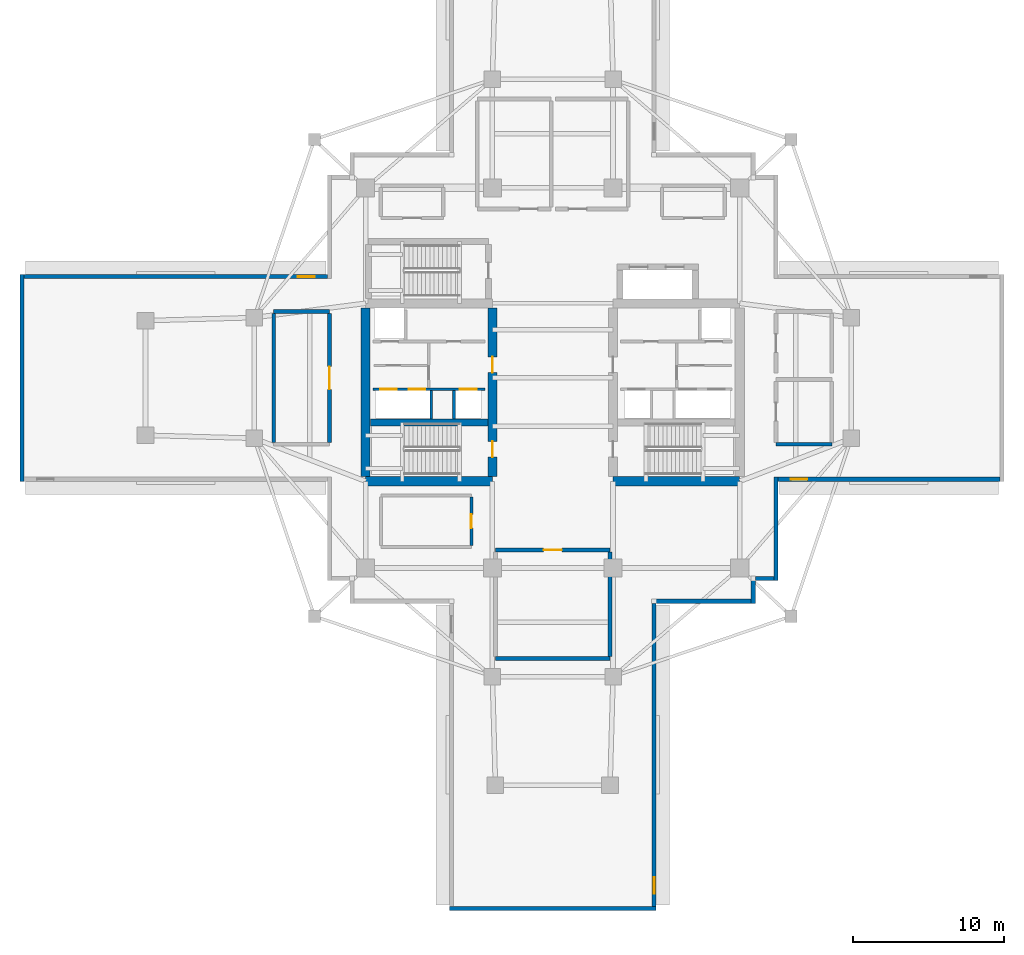
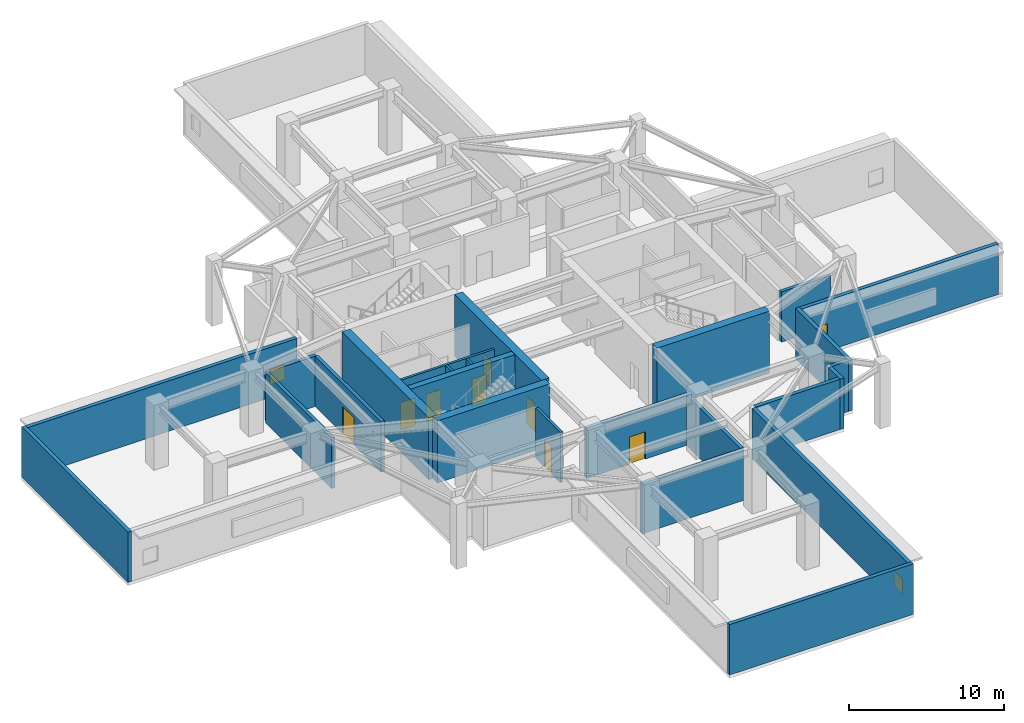
# One storey, part 3 of 11: 25 walls, 8 doors, 3 windows, 11 openings.
"""IFC4 building model written with IfcOpenShell, lengths in metres."""

from ifc_helpers import new_model, si_unit, direction, frame, frame_2d, origin, place, context, subcontext, project, spatial, rectangle, extrude, material, layer, layer_set, type_object, element, fill, save


model = new_model("IFC4")

# Units and contexts
model_context = context("Model", 3, precision=1e-05, world=origin(), true_north=direction((0.0, 1.0)))
body_context = subcontext(model_context, "Body", "Model", "MODEL_VIEW")
ifc_project = project(units=[si_unit("LENGTHUNIT", "METRE"), si_unit("AREAUNIT", "SQUARE_METRE"), si_unit("VOLUMEUNIT", "CUBIC_METRE"), si_unit("PLANEANGLEUNIT", "RADIAN"), si_unit("MASSUNIT", "GRAM", prefix="KILO")], contexts=[model_context])

# Site, building, storey
site_placement = place(None, origin())
site = spatial("IfcSite", under=ifc_project, at=site_placement, CompositionType="ELEMENT")
building_placement = place(site_placement, origin())
building = spatial("IfcBuilding", under=site, at=building_placement, Name="Qingluan Cross Belvedere", CompositionType="ELEMENT")
storey_placement = place(building_placement, frame((0.0, 0.0, 143.699951171875)))
storey = spatial("IfcBuildingStorey", under=building, at=storey_placement, Name="L36", CompositionType="ELEMENT", Elevation=143.699951171875)

# Walls
ifc_material_1 = material(Name="Concrete C50", Category="concrete")
ifc_layer_1 = layer(ifc_material_1, 0.449951171875, Name="CoreShearWall_450")
ifc_layer_set_1 = layer_set([ifc_layer_1], Name="Concrete C50")
wall_type_1 = type_object("IfcWallType", Name="CoreShearWall_450", PredefinedType="SHEAR", material=ifc_layer_set_1)
wall_1_placement = place(storey_placement, frame((-12.094970703125, -2.9599609375, 0.0), z_axis=(0.0, 0.0, 1.0), x_axis=(1.0, 0.0, 0.0)))
element("IfcWall", 1, at=wall_1_placement, inside=storey, type_object=wall_type_1, Name="Split core W shear wall L36-M", PredefinedType="SHEAR", context=body_context, shape_type="SweptSolid", body=[
    extrude(rectangle(XDim=7.7900390625, YDim=0.449951171875, at=frame_2d((3.89501953125, 0.0))), origin(), (0.0, 0.0, 1.0), 4.900146484375),
])
ifc_material_2 = material(Name="Concrete C60", Category="concrete")
ifc_layer_2 = layer(ifc_material_2, 0.60009765625, Name="CoreShearWall_600")
ifc_layer_set_2 = layer_set([ifc_layer_2], Name="Concrete C60")
wall_type_2 = type_object("IfcWallType", Name="CoreShearWall_600", PredefinedType="SHEAR", material=ifc_layer_set_2)
wall_2_placement = place(storey_placement, frame((-12.39990234375, -6.85009765625, 0.0), z_axis=(0.0, 0.0, 1.0), x_axis=(1.0, 0.0, 0.0)))
element("IfcWall", 2, at=wall_2_placement, inside=storey, type_object=wall_type_2, Name="Split core W shear wall L36-S", PredefinedType="SHEAR", context=body_context, shape_type="SweptSolid", body=[
    extrude(rectangle(XDim=8.39990234375, YDim=0.60009765625, at=frame_2d((4.199951171875, 0.0))), origin(), (0.0, 0.0, 1.0), 4.900146484375),
])
wall_3_placement = place(storey_placement, frame((-12.39990234375, -6.544921875, 0.0), z_axis=(0.0, 0.0, 1.0), x_axis=(0.0, 1.0, 0.0)))
element("IfcWall", 3, at=wall_3_placement, inside=storey, type_object=wall_type_2, Name="Split core W shear wall L36-W", PredefinedType="SHEAR", context=body_context, shape_type="SweptSolid", body=[
    extrude(rectangle(XDim=11.18994140625, YDim=0.60009765625, at=frame_2d((5.594970703125, 0.0))), origin(), (0.0, 0.0, 1.0), 4.900146484375),
])

# Wall, openings, doors
wall_4_placement = place(storey_placement, frame((-4.0, -6.544921875, 0.0), z_axis=(0.0, 0.0, 1.0), x_axis=(0.0, 1.0, 0.0)))
wall_4 = element("IfcWall", 4, at=wall_4_placement, inside=storey, type_object=wall_type_2, Name="Split core W shear wall L36-E", PredefinedType="SHEAR", context=body_context, shape_type="SweptSolid", body=[
    extrude(rectangle(XDim=11.18994140625, YDim=0.60009765625, at=frame_2d((5.594970703125, 0.0))), origin(), (0.0, 0.0, 1.0), 4.900146484375),
])
opening_1_placement = place(wall_4_placement, frame((1.294921875, 0.0, 0.0)))
opening_1 = element("IfcOpeningElement", 5, at=opening_1_placement, cuts=wall_4, Name="Opening FD-B11", PredefinedType="OPENING", context=body_context, shape_type="SweptSolid", body=[
    extrude(rectangle(XDim=1.050048828125, YDim=2.14990234375, at=frame_2d((0.52490234375, 1.074951171875))), frame((0.0, 0.31005859375, 0.0), z_axis=(0.0, -1.0, 0.0), x_axis=(1.0, 0.0, 0.0)), (0.0, 0.0, 1.0), 0.6201171875),
])
opening_2_placement = place(wall_4_placement, frame((6.89501953125, 0.0, 0.0)))
opening_2 = element("IfcOpeningElement", 6, at=opening_2_placement, cuts=wall_4, Name="Opening FD-B11", PredefinedType="OPENING", context=body_context, shape_type="SweptSolid", body=[
    extrude(rectangle(XDim=1.050048828125, YDim=2.14990234375, at=frame_2d((0.52490234375, 1.074951171875))), frame((0.0, 0.31005859375, 0.0), z_axis=(0.0, -1.0, 0.0), x_axis=(1.0, 0.0, 0.0)), (0.0, 0.0, 1.0), 0.6201171875),
])
ifc_material_3 = material(Name="Steel Class B smoke-seal fire door", Category="steel")
door_type_1 = type_object("IfcDoorType", Name="StairLobbyFireDoor_FDB", OperationType="NOTDEFINED", PredefinedType="DOOR", material=ifc_material_3)
door_1_placement = place(opening_1_placement, origin())
door_1 = element("IfcDoor", 7, at=door_1_placement, inside=storey, type_object=door_type_1, Name="Smoke-proof stair ST1 fire door L36", OperationType="SINGLE_SWING_RIGHT", OverallHeight=2.14990234375, OverallWidth=1.050048828125, PredefinedType="DOOR", context=body_context, shape_type="SweptSolid", body=[
    extrude(rectangle(XDim=1.050048828125, YDim=2.14990234375, at=frame_2d((0.52490234375, 1.074951171875))), frame((0.0, 0.02490234375, 0.0), z_axis=(0.0, -1.0, 0.0), x_axis=(1.0, 0.0, 0.0)), (0.0, 0.0, 1.0), 0.050048828125),
])
fill(opening_1, door_1)
door_2_placement = place(opening_2_placement, origin())
door_2 = element("IfcDoor", 8, at=door_2_placement, inside=storey, type_object=door_type_1, Name="Firefighting lobby West fire door L36", OperationType="SINGLE_SWING_RIGHT", OverallHeight=2.14990234375, OverallWidth=1.050048828125, PredefinedType="DOOR", context=body_context, shape_type="SweptSolid", body=[
    extrude(rectangle(XDim=1.050048828125, YDim=2.14990234375, at=frame_2d((0.52490234375, 1.074951171875))), frame((0.0, 0.02490234375, 0.0), z_axis=(0.0, -1.0, 0.0), x_axis=(1.0, 0.0, 0.0)), (0.0, 0.0, 1.0), 0.050048828125),
])
fill(opening_2, door_2)

# Wall
wall_5_placement = place(storey_placement, frame((4.0, -6.85009765625, 0.0), z_axis=(0.0, 0.0, 1.0), x_axis=(1.0, 0.0, 0.0)))
element("IfcWall", 9, at=wall_5_placement, inside=storey, type_object=wall_type_2, Name="Split core E shear wall L36-S", PredefinedType="SHEAR", context=body_context, shape_type="SweptSolid", body=[
    extrude(rectangle(XDim=8.39990234375, YDim=0.60009765625, at=frame_2d((4.199951171875, 0.0))), origin(), (0.0, 0.0, 1.0), 4.900146484375),
])

# Wall, opening, door
ifc_material_4 = material(Name="Gypsum plasterboard on steel stud acoustic partition", Category="steel")
ifc_layer_3 = layer(ifc_material_4, 0.159912109375, Name="CorridorPartition_160")
ifc_layer_set_3 = layer_set([ifc_layer_3], Name="Gypsum plasterboard on steel stud acoustic partition")
wall_type_3 = type_object("IfcWallType", Name="CorridorPartition_160", PredefinedType="PARTITIONING", material=ifc_layer_set_3)
wall_6_placement = place(storey_placement, frame((-5.39990234375, -11.094970703125, 0.0), z_axis=(0.0, 0.0, 1.0), x_axis=(0.0, 1.0, 0.0)))
wall_6 = element("IfcWall", 10, at=wall_6_placement, inside=storey, type_object=wall_type_3, Name="Partition L36:bms_plant:E", PredefinedType="PARTITIONING", context=body_context, shape_type="SweptSolid", body=[
    extrude(rectangle(XDim=3.18994140625, YDim=0.199951171875, at=frame_2d((1.594970703125, 0.0))), origin(), (0.0, 0.0, 1.0), 3.969970703125),
])
opening_3_placement = place(wall_6_placement, frame((1.14501953125, 0.0, 0.0)))
opening_3 = element("IfcOpeningElement", 11, at=opening_3_placement, cuts=wall_6, Name="Opening FD-B09", PredefinedType="OPENING", context=body_context, shape_type="SweptSolid", body=[
    extrude(rectangle(XDim=0.89990234375, YDim=2.14990234375, at=frame_2d((0.449951171875, 1.074951171875))), frame((0.0, 0.10986328125, 0.0), z_axis=(0.0, -1.0, 0.0), x_axis=(1.0, 0.0, 0.0)), (0.0, 0.0, 1.0), 0.219970703125),
])
ifc_material_5 = material(Name="Steel Class B control room fire door", Category="steel")
door_type_2 = type_object("IfcDoorType", Name="ControlServiceFireDoor_FDB", OperationType="NOTDEFINED", PredefinedType="DOOR", material=ifc_material_5)
door_3_placement = place(opening_3_placement, origin())
door_3 = element("IfcDoor", 12, at=door_3_placement, inside=storey, type_object=door_type_2, Name="Telecom and BMS control room L36 door", OperationType="SINGLE_SWING_LEFT", OverallHeight=2.14990234375, OverallWidth=0.89990234375, PredefinedType="DOOR", context=body_context, shape_type="SweptSolid", body=[
    extrude(rectangle(XDim=0.89990234375, YDim=2.14990234375, at=frame_2d((0.449951171875, 1.074951171875))), frame((0.0, 0.02490234375, 0.0), z_axis=(0.0, -1.0, 0.0), x_axis=(1.0, 0.0, 0.0)), (0.0, 0.0, 1.0), 0.050048828125),
])
fill(opening_3, door_3)

# Wall
ifc_material_6 = material(Name="Concrete C40", Category="concrete")
ifc_layer_4 = layer(ifc_material_6, 0.300048828125, Name="FireCompartmentWall_300")
ifc_layer_set_4 = layer_set([ifc_layer_4], Name="Concrete C40")
wall_type_4 = type_object("IfcWallType", Name="FireCompartmentWall_300", PredefinedType="SOLIDWALL", material=ifc_layer_set_4)
wall_7_placement = place(storey_placement, frame((-3.800048828125, -18.60009765625, 0.0), z_axis=(0.0, 0.0, 1.0), x_axis=(1.0, 0.0, 0.0)))
element("IfcWall", 13, at=wall_7_placement, inside=storey, type_object=wall_type_4, Name="Partition L36:refuge_s:S", PredefinedType="SOLIDWALL", context=body_context, shape_type="SweptSolid", body=[
    extrude(rectangle(XDim=7.60009765625, YDim=0.25, at=frame_2d((3.800048828125, 0.0))), origin(), (0.0, 0.0, 1.0), 3.969970703125),
])

# Wall, opening, door
wall_8_placement = place(storey_placement, frame((-3.800048828125, -11.39990234375, 0.0), z_axis=(0.0, 0.0, 1.0), x_axis=(1.0, 0.0, 0.0)))
wall_8 = element("IfcWall", 14, at=wall_8_placement, inside=storey, type_object=wall_type_4, Name="Partition L36:refuge_s:N", PredefinedType="SOLIDWALL", context=body_context, shape_type="SweptSolid", body=[
    extrude(rectangle(XDim=7.60009765625, YDim=0.25, at=frame_2d((3.800048828125, 0.0))), origin(), (0.0, 0.0, 1.0), 3.969970703125),
])
opening_4_placement = place(wall_8_placement, frame((3.199951171875, 0.0, 0.0)))
opening_4 = element("IfcOpeningElement", 15, at=opening_4_placement, cuts=wall_8, Name="Opening FD-A12", PredefinedType="OPENING", context=body_context, shape_type="SweptSolid", body=[
    extrude(rectangle(XDim=1.199951171875, YDim=2.14990234375, at=frame_2d((0.60009765625, 1.074951171875))), frame((0.0, 0.135009765625, 0.0), z_axis=(0.0, -1.0, 0.0), x_axis=(1.0, 0.0, 0.0)), (0.0, 0.0, 1.0), 0.27001953125),
])
ifc_material_7 = material(Name="Insulated steel Class A fire door", Category="steel")
door_type_3 = type_object("IfcDoorType", Name="RefugeCompartmentDoor_FDA", OperationType="NOTDEFINED", PredefinedType="DOOR", material=ifc_material_7)
door_4_placement = place(opening_4_placement, origin())
door_4 = element("IfcDoor", 16, at=door_4_placement, inside=storey, type_object=door_type_3, Name="Fire refuge area South L36 door", OperationType="SINGLE_SWING_RIGHT", OverallHeight=2.14990234375, OverallWidth=1.199951171875, PredefinedType="DOOR", context=body_context, shape_type="SweptSolid", body=[
    extrude(rectangle(XDim=1.199951171875, YDim=2.14990234375, at=frame_2d((0.60009765625, 1.074951171875))), frame((0.0, 0.02490234375, 0.0), z_axis=(0.0, -1.0, 0.0), x_axis=(1.0, 0.0, 0.0)), (0.0, 0.0, 1.0), 0.050048828125),
])
fill(opening_4, door_4)

# Walls
wall_9_placement = place(storey_placement, frame((3.800048828125, -18.469970703125, 0.0), z_axis=(0.0, 0.0, 1.0), x_axis=(0.0, 1.0, 0.0)))
element("IfcWall", 17, at=wall_9_placement, inside=storey, type_object=wall_type_4, Name="Partition L36:refuge_s:E", PredefinedType="SOLIDWALL", context=body_context, shape_type="SweptSolid", body=[
    extrude(rectangle(XDim=6.93994140625, YDim=0.25, at=frame_2d((3.469970703125, 0.0))), origin(), (0.0, 0.0, 1.0), 3.969970703125),
])
for number, where, z_axis, x_axis, name in (
    (18, (14.800048828125, -4.39990234375, 0.0), (0.0, 0.0, 1.0), (1.0, 0.0, 0.0), "Partition L36:ahu_s:S"),
    (19, (-18.5, 4.39990234375, 0.0), (0.0, 0.0, 1.0), (1.0, 0.0, 0.0), "Partition L36:elec_plant:N"),
):
    element("IfcWall", number, at=place(storey_placement, frame(where, z_axis=z_axis, x_axis=x_axis)), inside=storey, type_object=wall_type_4, Name=name, PredefinedType="SOLIDWALL", context=body_context, shape_type="SweptSolid", body=[
        extrude(rectangle(XDim=3.699951171875, YDim=0.25, at=frame_2d((1.85009765625, 0.0))), origin(), (0.0, 0.0, 1.0), 3.969970703125),
    ])
wall_10_placement = place(storey_placement, frame((-18.5, -4.27001953125, 0.0), z_axis=(0.0, 0.0, 1.0), x_axis=(0.0, 1.0, 0.0)))
element("IfcWall", 20, at=wall_10_placement, inside=storey, type_object=wall_type_4, Name="Partition L36:elec_plant:W", PredefinedType="SOLIDWALL", context=body_context, shape_type="SweptSolid", body=[
    extrude(rectangle(XDim=8.5400390625, YDim=0.25, at=frame_2d((4.27001953125, 0.0))), origin(), (0.0, 0.0, 1.0), 3.969970703125),
])

# Wall, opening, door
wall_11_placement = place(storey_placement, frame((-14.800048828125, -4.27001953125, 0.0), z_axis=(0.0, 0.0, 1.0), x_axis=(0.0, 1.0, 0.0)))
wall_11 = element("IfcWall", 21, at=wall_11_placement, inside=storey, type_object=wall_type_4, Name="Partition L36:elec_plant:E", PredefinedType="SOLIDWALL", context=body_context, shape_type="SweptSolid", body=[
    extrude(rectangle(XDim=8.5400390625, YDim=0.25, at=frame_2d((4.27001953125, 0.0))), origin(), (0.0, 0.0, 1.0), 3.969970703125),
])
opening_5_placement = place(wall_11_placement, frame((3.52001953125, 0.0, 0.0)))
opening_5 = element("IfcOpeningElement", 22, at=opening_5_placement, cuts=wall_11, Name="Opening FD-A15", PredefinedType="OPENING", context=body_context, shape_type="SweptSolid", body=[
    extrude(rectangle(XDim=1.5, YDim=2.14990234375, at=frame_2d((0.75, 1.074951171875))), frame((0.0, 0.135009765625, 0.0), z_axis=(0.0, -1.0, 0.0), x_axis=(1.0, 0.0, 0.0)), (0.0, 0.0, 1.0), 0.27001953125),
])
ifc_material_8 = material(Name="Insulated steel Class A double fire door", Category="steel")
door_type_4 = type_object("IfcDoorType", Name="PlantDoubleFireDoor_FDA", OperationType="DOUBLE_DOOR_SINGLE_SWING", PredefinedType="DOOR", material=ifc_material_8)
door_5_placement = place(opening_5_placement, origin())
door_5 = element("IfcDoor", 23, at=door_5_placement, inside=storey, type_object=door_type_4, Name="Mid-zone substation and switchgear room L36 door", OperationType="DOUBLE_DOOR_SINGLE_SWING", OverallHeight=2.14990234375, OverallWidth=1.5, PredefinedType="DOOR", context=body_context, shape_type="SweptSolid", body=[
    extrude(rectangle(XDim=1.5, YDim=2.14990234375, at=frame_2d((0.75, 1.074951171875))), frame((0.0, 0.02490234375, 0.0), z_axis=(0.0, -1.0, 0.0), x_axis=(1.0, 0.0, 0.0)), (0.0, 0.0, 1.0), 0.050048828125),
])
fill(opening_5, door_5)

# Wall, opening, window
ifc_material_9 = material(Name="Precast concrete C45", Category="concrete")
ifc_layer_5 = layer(ifc_material_9, 0.280029296875, Name="PrecastFacadeWall_280")
ifc_layer_set_5 = layer_set([ifc_layer_5], Name="Precast concrete C45")
wall_type_5 = type_object("IfcWallType", Name="PrecastFacadeWall_280", PredefinedType="STANDARD", material=ifc_layer_set_5)
wall_12_placement = place(storey_placement, frame((14.93994140625, -6.719970703125, 0.0), z_axis=(0.0, 0.0, 1.0), x_axis=(1.0, 0.0, 0.0)))
wall_12 = element("IfcWall", 24, at=wall_12_placement, inside=storey, type_object=wall_type_5, Name="Facade wall L36-EA", PredefinedType="STANDARD", context=body_context, shape_type="SweptSolid", body=[
    extrude(rectangle(XDim=14.699951171875, YDim=0.280029296875, at=frame_2d((7.35009765625, 0.0))), origin(), (0.0, 0.0, 1.0), 3.97998046875),
])
opening_6_placement = place(wall_12_placement, frame((0.85009765625, 0.0, 0.949951171875)))
opening_6 = element("IfcOpeningElement", 25, at=opening_6_placement, cuts=wall_12, Name="Opening W-07", PredefinedType="OPENING", context=body_context, shape_type="SweptSolid", body=[
    extrude(rectangle(XDim=1.10009765625, YDim=1.199951171875, at=frame_2d((0.550048828125, 0.60009765625))), frame((0.0, 0.14990234375, 0.0), z_axis=(0.0, -1.0, 0.0), x_axis=(1.0, 0.0, 0.0)), (0.0, 0.0, 1.0), 0.300048828125),
])
ifc_material_10 = material(Name="Thermally broken triple Low-E glass in aluminium frame", Category="aluminium")
window_type = type_object("IfcWindowType", Name="RefugeSmokeWin_1100x1200", PartitioningType="SINGLE_PANEL", PredefinedType="WINDOW", material=ifc_material_10)
window_1_placement = place(opening_6_placement, origin())
window_1 = element("IfcWindow", 26, at=window_1_placement, inside=storey, type_object=window_type, Name="Refuge operable smoke window L36-EA", OverallHeight=1.199951171875, OverallWidth=1.10009765625, PartitioningType="SINGLE_PANEL", PredefinedType="WINDOW", context=body_context, shape_type="SweptSolid", body=[
    extrude(rectangle(XDim=1.10009765625, YDim=1.199951171875, at=frame_2d((0.550048828125, 0.60009765625))), frame((0.0, 0.030029296875, 0.0), z_axis=(0.0, -1.0, 0.0), x_axis=(1.0, 0.0, 0.0)), (0.0, 0.0, 1.0), 0.06005859375),
])
fill(opening_6, window_1)

wall_13_placement = place(storey_placement, frame((-14.93994140625, 6.719970703125, 0.0), z_axis=(0.0, 0.0, 1.0), x_axis=(-1.0, 0.0, 0.0)))
wall_13 = element("IfcWall", 27, at=wall_13_placement, inside=storey, type_object=wall_type_5, Name="Facade wall L36-WA", PredefinedType="STANDARD", context=body_context, shape_type="SweptSolid", body=[
    extrude(rectangle(XDim=20.10009765625, YDim=0.280029296875, at=frame_2d((10.050048828125, 0.0))), origin(), (0.0, 0.0, 1.0), 3.97998046875),
])
opening_7_placement = place(wall_13_placement, frame((0.85009765625, 0.0, 0.949951171875)))
opening_7 = element("IfcOpeningElement", 28, at=opening_7_placement, cuts=wall_13, Name="Opening W-07", PredefinedType="OPENING", context=body_context, shape_type="SweptSolid", body=[
    extrude(rectangle(XDim=1.10009765625, YDim=1.199951171875, at=frame_2d((0.550048828125, 0.60009765625))), frame((0.0, 0.14990234375, 0.0), z_axis=(0.0, -1.0, 0.0), x_axis=(1.0, 0.0, 0.0)), (0.0, 0.0, 1.0), 0.300048828125),
])
window_2_placement = place(opening_7_placement, origin())
window_2 = element("IfcWindow", 29, at=window_2_placement, inside=storey, type_object=window_type, Name="Refuge operable smoke window L36-WA", OverallHeight=1.199951171875, OverallWidth=1.10009765625, PartitioningType="SINGLE_PANEL", PredefinedType="WINDOW", context=body_context, shape_type="SweptSolid", body=[
    extrude(rectangle(XDim=1.10009765625, YDim=1.199951171875, at=frame_2d((0.550048828125, 0.60009765625))), frame((0.0, 0.030029296875, 0.0), z_axis=(0.0, -1.0, 0.0), x_axis=(1.0, 0.0, 0.0)), (0.0, 0.0, 1.0), 0.06005859375),
])
fill(opening_7, window_2)

# Wall
wall_14_placement = place(storey_placement, frame((-35.179931640625, 6.860107421875, 0.0), z_axis=(0.0, 0.0, 1.0), x_axis=(0.0, -1.0, 0.0)))
element("IfcWall", 30, at=wall_14_placement, inside=storey, type_object=wall_type_5, Name="Arm tip precast facade wall L36-W", PredefinedType="STANDARD", context=body_context, shape_type="SweptSolid", body=[
    extrude(rectangle(XDim=13.72021484375, YDim=0.280029296875, at=frame_2d((6.860107421875, 0.0))), origin(), (0.0, 0.0, 1.0), 3.97998046875),
])

# Wall, opening, window
wall_15_placement = place(storey_placement, frame((6.719970703125, -35.0400390625, 0.0), z_axis=(0.0, 0.0, 1.0), x_axis=(0.0, 1.0, 0.0)))
wall_15 = element("IfcWall", 31, at=wall_15_placement, inside=storey, type_object=wall_type_5, Name="Facade wall L36-SB", PredefinedType="STANDARD", context=body_context, shape_type="SweptSolid", body=[
    extrude(rectangle(XDim=20.10009765625, YDim=0.280029296875, at=frame_2d((10.050048828125, 0.0))), origin(), (0.0, 0.0, 1.0), 3.97998046875),
])
opening_8_placement = place(wall_15_placement, frame((0.85009765625, 0.0, 0.949951171875)))
opening_8 = element("IfcOpeningElement", 32, at=opening_8_placement, cuts=wall_15, Name="Opening W-07", PredefinedType="OPENING", context=body_context, shape_type="SweptSolid", body=[
    extrude(rectangle(XDim=1.10009765625, YDim=1.199951171875, at=frame_2d((0.550048828125, 0.60009765625))), frame((0.0, 0.14990234375, 0.0), z_axis=(0.0, -1.0, 0.0), x_axis=(1.0, 0.0, 0.0)), (0.0, 0.0, 1.0), 0.300048828125),
])
window_3_placement = place(opening_8_placement, origin())
window_3 = element("IfcWindow", 33, at=window_3_placement, inside=storey, type_object=window_type, Name="Refuge operable smoke window L36-SB", OverallHeight=1.199951171875, OverallWidth=1.10009765625, PartitioningType="SINGLE_PANEL", PredefinedType="WINDOW", context=body_context, shape_type="SweptSolid", body=[
    extrude(rectangle(XDim=1.10009765625, YDim=1.199951171875, at=frame_2d((0.550048828125, 0.60009765625))), frame((0.0, 0.030029296875, 0.0), z_axis=(0.0, -1.0, 0.0), x_axis=(1.0, 0.0, 0.0)), (0.0, 0.0, 1.0), 0.06005859375),
])
fill(opening_8, window_3)

# Walls
wall_16_placement = place(storey_placement, frame((-6.860107421875, -35.179931640625, 0.0), z_axis=(0.0, 0.0, 1.0), x_axis=(1.0, 0.0, 0.0)))
element("IfcWall", 34, at=wall_16_placement, inside=storey, type_object=wall_type_5, Name="Arm tip precast facade wall L36-S", PredefinedType="STANDARD", context=body_context, shape_type="SweptSolid", body=[
    extrude(rectangle(XDim=13.72021484375, YDim=0.280029296875, at=frame_2d((6.860107421875, 0.0))), origin(), (0.0, 0.0, 1.0), 3.97998046875),
])
wall_17_placement = place(storey_placement, frame((14.800048828125, -6.580078125, 0.0), z_axis=(0.0, 0.0, 1.0), x_axis=(0.0, -1.0, 0.0)))
element("IfcWall", 35, at=wall_17_placement, inside=storey, type_object=wall_type_5, Name="Corner wall L36-SE1", PredefinedType="STANDARD", context=body_context, shape_type="SweptSolid", body=[
    extrude(rectangle(XDim=6.85986328125, YDim=0.280029296875, at=frame_2d((3.429931640625, 0.0))), origin(), (0.0, 0.0, 1.0), 3.97998046875),
])
wall_18_placement = place(storey_placement, frame((14.659912109375, -13.300048828125, 0.0), z_axis=(0.0, 0.0, 1.0), x_axis=(-1.0, 0.0, 0.0)))
element("IfcWall", 36, at=wall_18_placement, inside=storey, type_object=wall_type_5, Name="Corner wall L36-SE2", PredefinedType="STANDARD", context=body_context, shape_type="SweptSolid", body=[
    extrude(rectangle(XDim=1.219970703125, YDim=0.280029296875, at=frame_2d((0.60986328125, 0.0))), origin(), (0.0, 0.0, 1.0), 3.97998046875),
])
wall_19_placement = place(storey_placement, frame((13.300048828125, -13.43994140625, 0.0), z_axis=(0.0, 0.0, 1.0), x_axis=(0.0, -1.0, 0.0)))
element("IfcWall", 37, at=wall_19_placement, inside=storey, type_object=wall_type_5, Name="Corner wall L36-SE3", PredefinedType="STANDARD", context=body_context, shape_type="SweptSolid", body=[
    extrude(rectangle(XDim=1.5, YDim=0.280029296875, at=frame_2d((0.75, 0.0))), origin(), (0.0, 0.0, 1.0), 3.97998046875),
])
wall_20_placement = place(storey_placement, frame((13.159912109375, -14.800048828125, 0.0), z_axis=(0.0, 0.0, 1.0), x_axis=(-1.0, 0.0, 0.0)))
element("IfcWall", 38, at=wall_20_placement, inside=storey, type_object=wall_type_5, Name="Corner wall L36-SE4", PredefinedType="STANDARD", context=body_context, shape_type="SweptSolid", body=[
    extrude(rectangle(XDim=6.2998046875, YDim=0.280029296875, at=frame_2d((3.14990234375, 0.0))), origin(), (0.0, 0.0, 1.0), 3.97998046875),
])

# Wall, openings, doors
ifc_material_11 = material(Name="Concrete C40", Category="concrete")
ifc_layer_6 = layer(ifc_material_11, 0.219970703125, Name="ShaftEnclosureWall_250")
ifc_layer_set_6 = layer_set([ifc_layer_6], Name="Concrete C40")
wall_type_6 = type_object("IfcWallType", Name="ShaftEnclosureWall_250", PredefinedType="SOLIDWALL", material=ifc_layer_set_6)
wall_21_placement = place(storey_placement, frame((-11.89990234375, -0.75, 0.0), z_axis=(0.0, 0.0, 1.0), x_axis=(1.0, 0.0, 0.0)))
wall_21 = element("IfcWall", 39, at=wall_21_placement, inside=storey, type_object=wall_type_6, Name="Core-W mid hoistway wall L36", PredefinedType="SOLIDWALL", context=body_context, shape_type="SweptSolid", body=[
    extrude(rectangle(XDim=7.419921875, YDim=0.179931640625, at=frame_2d((3.7099609375, 0.0))), origin(), (0.0, 0.0, 1.0), 3.969970703125),
])
opening_9_placement = place(wall_21_placement, frame((0.449951171875, 0.0, 0.0)))
opening_9 = element("IfcOpeningElement", 40, at=opening_9_placement, cuts=wall_21, Name="Opening LD-11", PredefinedType="OPENING", context=body_context, shape_type="SweptSolid", body=[
    extrude(rectangle(XDim=1.10009765625, YDim=2.14990234375, at=frame_2d((0.550048828125, 1.074951171875))), frame((0.0, 0.099853515625, 0.0), z_axis=(0.0, -1.0, 0.0), x_axis=(1.0, 0.0, 0.0)), (0.0, 0.0, 1.0), 0.199951171875),
])
opening_10_placement = place(wall_21_placement, frame((2.35009765625, 0.0, 0.0)))
opening_10 = element("IfcOpeningElement", 41, at=opening_10_placement, cuts=wall_21, Name="Opening LD-11", PredefinedType="OPENING", context=body_context, shape_type="SweptSolid", body=[
    extrude(rectangle(XDim=1.10009765625, YDim=2.14990234375, at=frame_2d((0.550048828125, 1.074951171875))), frame((0.0, 0.099853515625, 0.0), z_axis=(0.0, -1.0, 0.0), x_axis=(1.0, 0.0, 0.0)), (0.0, 0.0, 1.0), 0.199951171875),
])
opening_11_placement = place(wall_21_placement, frame((5.75, 0.0, 0.0)))
opening_11 = element("IfcOpeningElement", 42, at=opening_11_placement, cuts=wall_21, Name="Opening LD-11", PredefinedType="OPENING", context=body_context, shape_type="SweptSolid", body=[
    extrude(rectangle(XDim=1.10009765625, YDim=2.14990234375, at=frame_2d((0.550048828125, 1.074951171875))), frame((0.0, 0.099853515625, 0.0), z_axis=(0.0, -1.0, 0.0), x_axis=(1.0, 0.0, 0.0)), (0.0, 0.0, 1.0), 0.199951171875),
])
ifc_material_12 = material(Name="Brushed stainless steel centre-opening lift landing door", Category="steel")
door_type_5 = type_object("IfcDoorType", Name="LiftLandingSlidingDoor_1100", OperationType="DOUBLE_DOOR_SLIDING", PredefinedType="DOOR", material=ifc_material_12)
door_6_placement = place(opening_9_placement, origin())
door_6 = element("IfcDoor", 43, at=door_6_placement, inside=storey, type_object=door_type_5, Name="Lift landing sliding door LP5 L36", OperationType="DOUBLE_DOOR_SLIDING", OverallHeight=2.14990234375, OverallWidth=1.10009765625, PredefinedType="DOOR", context=body_context, shape_type="SweptSolid", body=[
    extrude(rectangle(XDim=1.10009765625, YDim=2.14990234375, at=frame_2d((0.550048828125, 1.074951171875))), frame((0.0, 0.02490234375, 0.0), z_axis=(0.0, -1.0, 0.0), x_axis=(1.0, 0.0, 0.0)), (0.0, 0.0, 1.0), 0.050048828125),
])
fill(opening_9, door_6)
door_7_placement = place(opening_10_placement, origin())
door_7 = element("IfcDoor", 44, at=door_7_placement, inside=storey, type_object=door_type_5, Name="Lift landing sliding door LP6 L36", OperationType="DOUBLE_DOOR_SLIDING", OverallHeight=2.14990234375, OverallWidth=1.10009765625, PredefinedType="DOOR", context=body_context, shape_type="SweptSolid", body=[
    extrude(rectangle(XDim=1.10009765625, YDim=2.14990234375, at=frame_2d((0.550048828125, 1.074951171875))), frame((0.0, 0.02490234375, 0.0), z_axis=(0.0, -1.0, 0.0), x_axis=(1.0, 0.0, 0.0)), (0.0, 0.0, 1.0), 0.050048828125),
])
fill(opening_10, door_7)
door_8_placement = place(opening_11_placement, origin())
door_8 = element("IfcDoor", 45, at=door_8_placement, inside=storey, type_object=door_type_5, Name="Lift landing sliding door LP8 L36", OperationType="DOUBLE_DOOR_SLIDING", OverallHeight=2.14990234375, OverallWidth=1.10009765625, PredefinedType="DOOR", context=body_context, shape_type="SweptSolid", body=[
    extrude(rectangle(XDim=1.10009765625, YDim=2.14990234375, at=frame_2d((0.550048828125, 1.074951171875))), frame((0.0, 0.02490234375, 0.0), z_axis=(0.0, -1.0, 0.0), x_axis=(1.0, 0.0, 0.0)), (0.0, 0.0, 1.0), 0.050048828125),
])
fill(opening_11, door_8)

# Walls
for number, where, z_axis, x_axis, name in (
    (46, (-8.06005859375, -2.72998046875, 0.0), (0.0, 0.0, 1.0), (0.0, 1.0, 0.0), "Hoistway enclosure divider LP6E L36"),
    (47, (-6.5400390625, -2.72998046875, 0.0), (0.0, 0.0, 1.0), (0.0, 1.0, 0.0), "Hoistway enclosure divider LP8W L36"),
):
    element("IfcWall", number, at=place(storey_placement, frame(where, z_axis=z_axis, x_axis=x_axis)), inside=storey, type_object=wall_type_6, Name=name, PredefinedType="SOLIDWALL", context=body_context, shape_type="SweptSolid", body=[
        extrude(rectangle(XDim=1.889892578125, YDim=0.179931640625, at=frame_2d((0.94482421875, 0.0))), origin(), (0.0, 0.0, 1.0), 3.969970703125),
    ])

save(model, "model.ifc")
